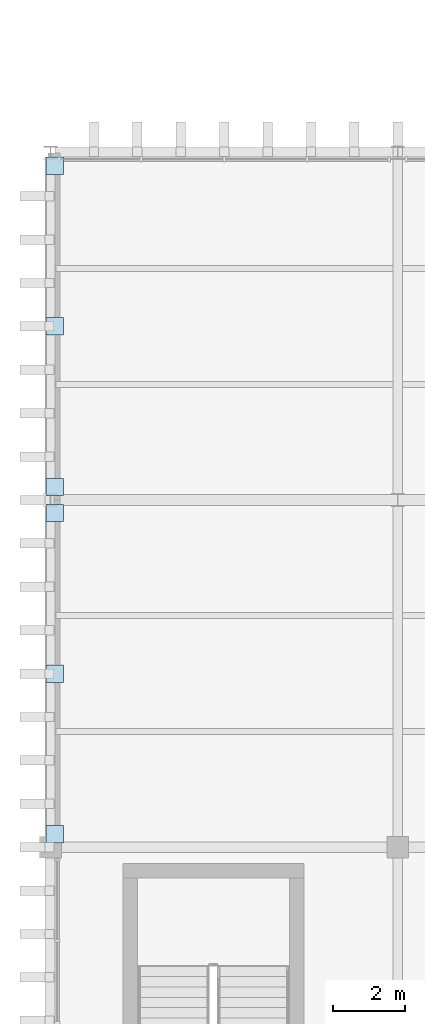
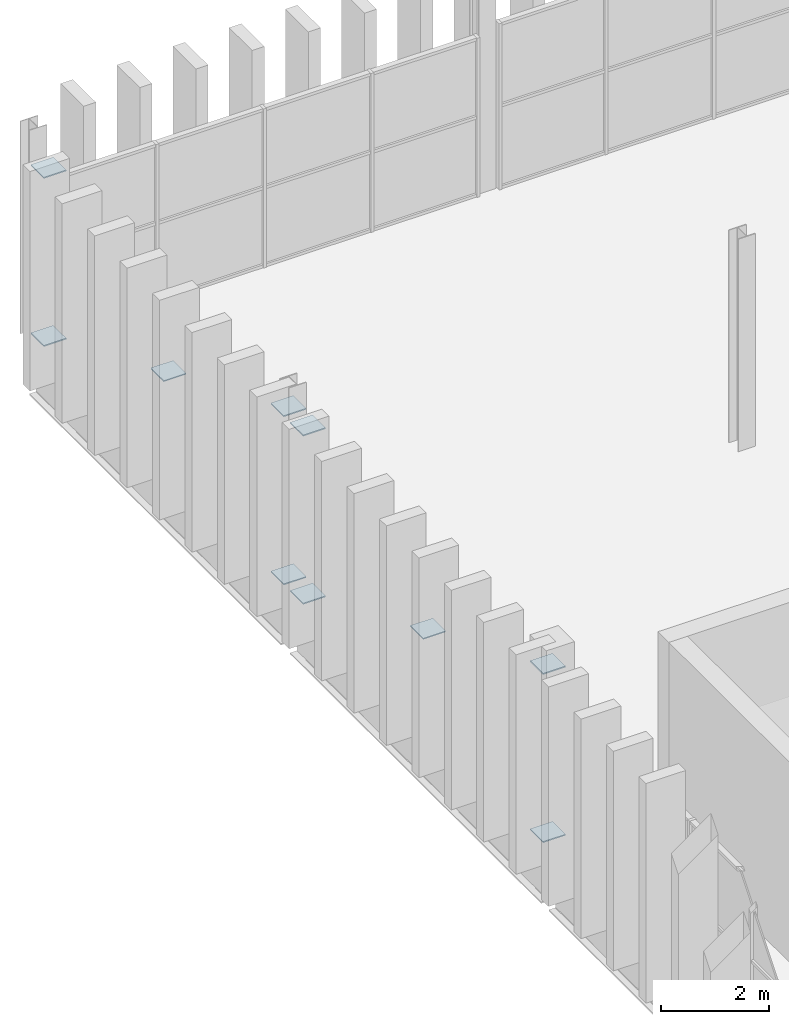
# One storey, part 57 of 99: 10 plates.
"""IFC4 building model written with IfcOpenShell, lengths in metres."""

from ifc_helpers import new_model, si_unit, direction, frame, origin, origin_2d, place, context, subcontext, project, spatial, rectangle, extrude, material, layer, layer_set, type_object, element, save


model = new_model("IFC4")

# Units and contexts
model_context = context("Model", 3, precision=1e-05, world=origin(), true_north=direction((0.0, 1.0)))
body_context = subcontext(model_context, "Body", "Model", "MODEL_VIEW")
ifc_project = project(units=[si_unit("LENGTHUNIT", "METRE"), si_unit("AREAUNIT", "SQUARE_METRE"), si_unit("VOLUMEUNIT", "CUBIC_METRE"), si_unit("PLANEANGLEUNIT", "RADIAN"), si_unit("MASSUNIT", "GRAM", prefix="KILO")], contexts=[model_context])

# Site, building, storey
site_placement = place(None, origin())
site = spatial("IfcSite", under=ifc_project, at=site_placement, CompositionType="ELEMENT")
building_placement = place(site_placement, origin())
building = spatial("IfcBuilding", under=site, at=building_placement, Name="Caelomonte Colonnade Arena", CompositionType="ELEMENT")
storey_placement = place(building_placement, frame((0.0, 0.0, 4.800048828125)))
storey = spatial("IfcBuildingStorey", under=building, at=storey_placement, Name="L01", CompositionType="ELEMENT", Elevation=4.800048828125)

# Plates
ifc_material = material(Name="Steel ASTM A572 Grade 50", Category="steel")
ifc_layer = layer(ifc_material, 0.02490234375)
ifc_layer_set = layer_set([ifc_layer], Name="Steel ASTM A572 Grade 50")
plate_type = type_object("IfcPlateType", Name="STR-PL-PN01", PredefinedType="USERDEFINED", material=ifc_layer_set)
for number, where, z_axis, x_axis, name in (
    (1, (0.114990234375, 72.0, 2.047607421875), (0.0, 0.0, 1.0), (1.0, 0.0, 0.0), "Braced frame BF1 L01 gusset plate X"),
    (2, (0.114990234375, 67.56005859375, 0.1474609375), (0.0, 0.0, 1.0), (1.0, 0.0, 0.0), "Braced frame BF1 L01 gusset plate BL"),
    (3, (0.114990234375, 76.43994140625, 0.1474609375), (0.0, 0.0, 1.0), (1.0, 0.0, 0.0), "Braced frame BF1 L01 gusset plate BR"),
    (4, (0.114990234375, 67.56005859375, 3.947509765625), (0.0, 0.0, 1.0), (1.0, 0.0, 0.0), "Braced frame BF1 L01 gusset plate TL"),
    (5, (0.114990234375, 76.43994140625, 3.947509765625), (0.0, 0.0, 1.0), (1.0, 0.0, 0.0), "Braced frame BF1 L01 gusset plate TR"),
    (6, (0.114990234375, 81.60009765625, 2.047607421875), (0.0, 0.0, 1.0), (1.0, 0.0, 0.0), "Braced frame BF2 L01 gusset plate X"),
    (7, (0.114990234375, 77.159912109375, 0.1474609375), (0.0, 0.0, 1.0), (1.0, 0.0, 0.0), "Braced frame BF2 L01 gusset plate BL"),
    (8, (0.114990234375, 86.0400390625, 0.1474609375), (0.0, 0.0, 1.0), (1.0, 0.0, 0.0), "Braced frame BF2 L01 gusset plate BR"),
    (9, (0.114990234375, 77.159912109375, 3.947509765625), (0.0, 0.0, 1.0), (1.0, 0.0, 0.0), "Braced frame BF2 L01 gusset plate TL"),
    (10, (0.114990234375, 86.0400390625, 3.947509765625), (0.0, 0.0, 1.0), (1.0, 0.0, 0.0), "Braced frame BF2 L01 gusset plate TR"),
):
    element("IfcPlate", number, at=place(storey_placement, frame(where, z_axis=z_axis, x_axis=x_axis)), inside=storey, type_object=plate_type, Name=name, ObjectType="GUSSET PLATE", PredefinedType="USERDEFINED", context=body_context, shape_type="SweptSolid", body=[
        extrude(rectangle(XDim=0.47998046875, YDim=0.47998046875, at=origin_2d()), origin(), (0.0, 0.0, 1.0), 0.02490234375),
    ])

save(model, "model.ifc")
